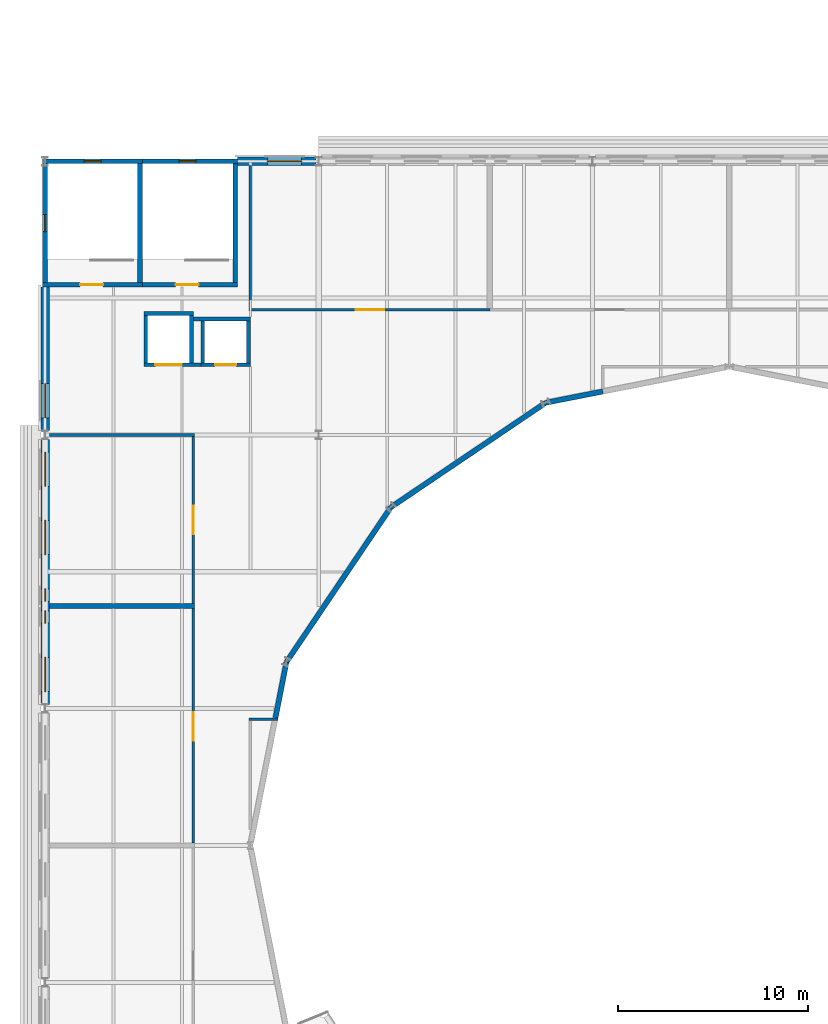
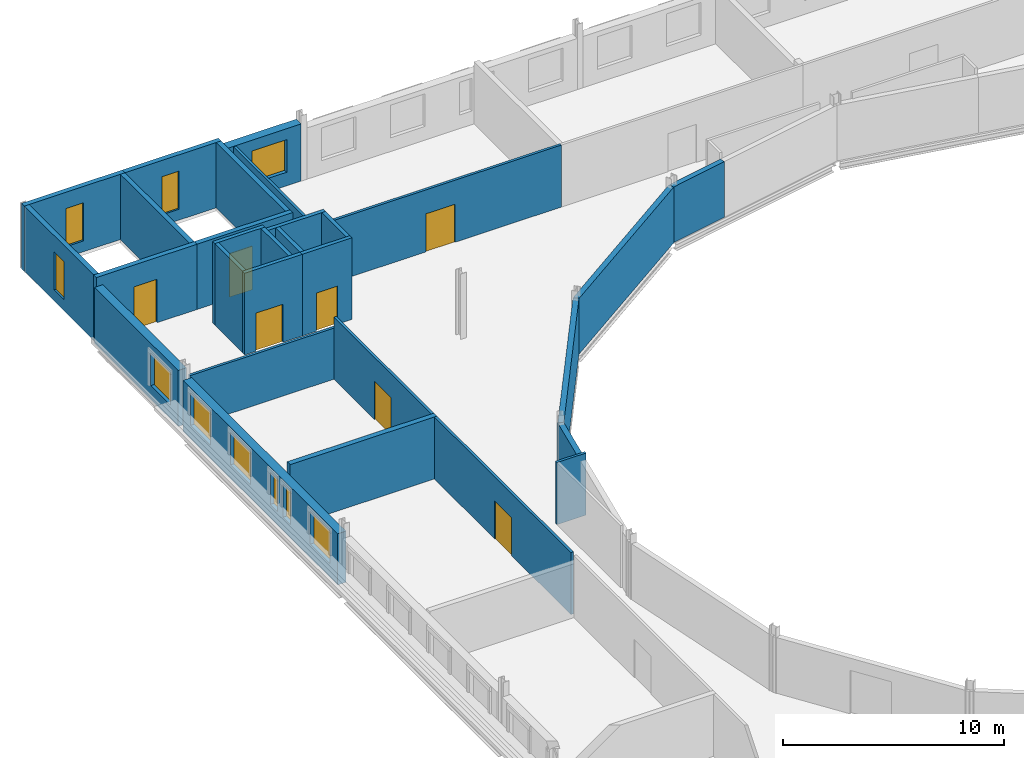
# One storey, part 94 of 142: 29 walls, 10 windows, 7 doors, 17 openings.
"""IFC4 building model written with IfcOpenShell, lengths in metres."""

import ifcopenshell
import ifcopenshell.guid

model = None  # the IFC model being written
_history = None  # IfcOwnerHistory: only IFC2X3 demands one
_inside = {}  # id of a spatial element -> (the spatial element, [elements in it])
_under = {}  # id of a project, library or spatial element -> (it, [spatial elements below it])
_declared = {}  # id of a project -> (the project, [libraries it declares])
_typed = {}  # id of a type object -> (the type object, [elements of that type])
_made_of = {}  # id of a material, layer set ... -> (it, [elements and type objects made of it])


def new_model(schema):
    """Start an empty IFC model of exactly this schema.

    Asked for "IFC4X3", IfcOpenShell would pick the latest addendum, in which some entities
    have other attributes; the version numbers below select the first issue.
    IFC2X3 requires an IfcOwnerHistory on every rooted entity: one is made here for all.
    """
    global model, _history
    if schema == "IFC4X3":
        model = ifcopenshell.file(schema_version=(4, 3, 0, 0))
    else:
        model = ifcopenshell.file(schema=schema)
    _inside.clear()
    _under.clear()
    _declared.clear()
    _typed.clear()
    _made_of.clear()
    _history = None
    if model.schema == "IFC2X3":
        org = make("IfcOrganization", Name="unknown")
        user = make(
            "IfcPersonAndOrganization",
            ThePerson=make("IfcPerson", FamilyName="unknown"),
            TheOrganization=org,
        )
        app = make(
            "IfcApplication",
            ApplicationDeveloper=org,
            Version="unknown",
            ApplicationFullName="unknown",
            ApplicationIdentifier="unknown",
        )
        _history = make(
            "IfcOwnerHistory",
            OwningUser=user,
            OwningApplication=app,
            ChangeAction="ADDED",
            CreationDate=0,
        )
    return model


def make(cls, **values):
    """One entity of the class cls with the attributes given. An attribute that is None is left unset."""
    return model.create_entity(
        cls, **{name: value for name, value in values.items() if value is not None}
    )


def rooted(cls, **values):
    """An entity with a GlobalId (a new one), such as an element, a storey or a relation."""
    return make(cls, GlobalId=ifcopenshell.guid.new(), OwnerHistory=_history, **values)


def si_unit(unit_type, name, prefix=None):
    """IfcSIUnit, for example si_unit("LENGTHUNIT", "METRE", prefix="MILLI")."""
    return make("IfcSIUnit", UnitType=unit_type, Prefix=prefix, Name=name)


def assignment(units):
    """IfcUnitAssignment: the units of a project."""
    return None if units is None else make("IfcUnitAssignment", Units=units)


def point(xyz):
    """IfcCartesianPoint."""
    return None if xyz is None else make("IfcCartesianPoint", Coordinates=xyz)


def direction(xyz):
    """IfcDirection."""
    return None if xyz is None else make("IfcDirection", DirectionRatios=xyz)


def frame(location, z_axis=None, x_axis=None):
    """IfcAxis2Placement3D, a coordinate frame: its origin and axes. An axis left out is left unset."""
    return make(
        "IfcAxis2Placement3D",
        Location=point(location),
        Axis=direction(z_axis),
        RefDirection=direction(x_axis),
    )


def frame_2d(location, x_axis=None):
    """IfcAxis2Placement2D, a coordinate frame in the plane: its origin and x axis."""
    return make(
        "IfcAxis2Placement2D", Location=point(location), RefDirection=direction(x_axis)
    )


def origin():
    """The frame at (0, 0, 0) with its axes left unset."""
    return frame((0.0, 0.0, 0.0))


def place(relative_to, where):
    """IfcLocalPlacement: puts the frame where relative to a parent placement (None: the world)."""
    return make(
        "IfcLocalPlacement", PlacementRelTo=relative_to, RelativePlacement=where
    )


def context(
    kind, dimensions, precision=None, world=None, true_north=None, identifier=None
):
    """IfcGeometricRepresentationContext, for example the 3D "Model" context."""
    return make(
        "IfcGeometricRepresentationContext",
        ContextIdentifier=identifier,
        ContextType=kind,
        CoordinateSpaceDimension=dimensions,
        Precision=precision,
        WorldCoordinateSystem=world,
        TrueNorth=true_north,
    )


def subcontext(parent, identifier, kind, view, scale=None):
    """IfcGeometricRepresentationSubContext, for example "Body" below "Model"."""
    return make(
        "IfcGeometricRepresentationSubContext",
        ContextIdentifier=identifier,
        ContextType=kind,
        ParentContext=parent,
        TargetScale=scale,
        TargetView=view,
    )


def project(units=None, contexts=None):
    """IfcProject with its units and contexts."""
    return rooted(
        "IfcProject",
        Name="project",
        RepresentationContexts=contexts,
        UnitsInContext=assignment(units),
    )


def spatial(cls, under=None, at=None, **own):
    """A site, building, storey or space (cls), placed at a placement, below another one or the project."""
    s = rooted(cls, ObjectPlacement=at, **own)
    if under is not None:
        _under.setdefault(under.id(), (under, []))[1].append(s)
    return s


def profile(cls, at=None, kind="AREA", **sizes):
    """A parametric profile (cls). Its sizes go by their IFC names, for example OverallWidth=200.0."""
    return make(cls, ProfileType=kind, Position=at, **sizes)


def rectangle(**sizes):
    """IfcRectangleProfileDef."""
    return profile("IfcRectangleProfileDef", **sizes)


def extrude(swept, where, along, depth):
    """IfcExtrudedAreaSolid: the profile swept, set in the frame where, extruded along a direction by depth."""
    return make(
        "IfcExtrudedAreaSolid",
        SweptArea=swept,
        Position=where,
        ExtrudedDirection=direction(along),
        Depth=depth,
    )


def shape(context_of_items, identifier, shape_type, items):
    """IfcShapeRepresentation: the items that make up one representation, for example the "Body"."""
    return make(
        "IfcShapeRepresentation",
        ContextOfItems=context_of_items,
        RepresentationIdentifier=identifier,
        RepresentationType=shape_type,
        Items=items,
    )


def material(Name=None, Category=None):
    """IfcMaterial."""
    return make("IfcMaterial", Name=Name, Category=Category)


def layer(
    of_material, thickness, ventilated=None, Name=None, Category=None, Priority=None
):
    """IfcMaterialLayer: one layer of a wall or slab, of a material (None: an air gap)."""
    return make(
        "IfcMaterialLayer",
        Material=of_material,
        LayerThickness=thickness,
        IsVentilated=ventilated,
        Name=Name,
        Category=Category,
        Priority=Priority,
    )


def layer_set(layers, Name=None):
    """IfcMaterialLayerSet."""
    return make("IfcMaterialLayerSet", MaterialLayers=layers, LayerSetName=Name)


def made_of(thing, what):
    """Note that an element or type object is made of a material, layer set ...; save() writes the relation."""
    if what is not None:
        _made_of.setdefault(what.id(), (what, []))[1].append(thing)
    return thing


def type_object(cls, material=None, **own):
    """A type object (cls), such as IfcWallType, which elements share."""
    return made_of(rooted(cls, **own), material)


def element(
    cls,
    number,
    at=None,
    inside=None,
    cuts=None,
    type_object=None,
    material=None,
    context=None,
    identifier="Body",
    shape_type=None,
    held_by="IfcProductDefinitionShape",
    body=None,
    shapes=None,
    **own,
):
    """One element of the class cls, such as IfcWall. Its Tag is "e" and its number.

    at: its placement. inside: the storey or other place that contains it. cuts: it is an
    opening in that element (IfcRelVoidsElement). A single representation is given by context,
    identifier, shape_type and body (its items); several are given by shapes. held_by: the class
    of the entity that holds the representations. save() writes the other relations.
    """
    e = rooted(cls, Tag="e%d" % number, ObjectPlacement=at, **own)
    if body is not None:
        shapes = [shape(context, identifier, shape_type, body)]
    if shapes is not None:
        e.Representation = make(held_by, Representations=shapes)
    if inside is not None:
        _inside.setdefault(inside.id(), (inside, []))[1].append(e)
    if cuts is not None:
        rooted(
            "IfcRelVoidsElement", RelatingBuildingElement=cuts, RelatedOpeningElement=e
        )
    if type_object is not None:
        _typed.setdefault(type_object.id(), (type_object, []))[1].append(e)
    return made_of(e, material)


def fill(opening, filler):
    """IfcRelFillsElement: the door or window that sits in an opening."""
    return rooted(
        "IfcRelFillsElement",
        RelatingOpeningElement=opening,
        RelatedBuildingElement=filler,
    )


def aggregate(whole, parts):
    """IfcRelAggregates: a whole, such as a stair, and the parts it consists of."""
    return rooted("IfcRelAggregates", RelatingObject=whole, RelatedObjects=parts)


def save(model, path):
    """Write the relations noted so far, then the file.

    IfcRelAggregates (storeys below a building ...), IfcRelContainedInSpatialStructure (elements
    in a storey), IfcRelDefinesByType, IfcRelAssociatesMaterial and IfcRelDeclares: one each for
    every whole, place, type object, material and project.
    """
    for whole, parts in _under.values():
        aggregate(whole, parts)
    for where, things in _inside.values():
        rooted(
            "IfcRelContainedInSpatialStructure",
            RelatedElements=things,
            RelatingStructure=where,
        )
    for kind, things in _typed.values():
        rooted("IfcRelDefinesByType", RelatedObjects=things, RelatingType=kind)
    for what, things in _made_of.values():
        rooted("IfcRelAssociatesMaterial", RelatedObjects=things, RelatingMaterial=what)
    for by, libraries in _declared.values():
        rooted("IfcRelDeclares", RelatingContext=by, RelatedDefinitions=libraries)
    model.write(path)


model = new_model("IFC4")

# Units and contexts
model_context = context("Model", 3, precision=1e-05, world=origin(), true_north=direction((0.0, 1.0)))
body_context = subcontext(model_context, "Body", "Model", "MODEL_VIEW")
ifc_project = project(units=[si_unit("LENGTHUNIT", "METRE"), si_unit("AREAUNIT", "SQUARE_METRE"), si_unit("VOLUMEUNIT", "CUBIC_METRE"), si_unit("PLANEANGLEUNIT", "RADIAN"), si_unit("MASSUNIT", "GRAM", prefix="KILO")], contexts=[model_context])

# Site, building, storey
site_placement = place(None, origin())
site = spatial("IfcSite", under=ifc_project, at=site_placement, CompositionType="ELEMENT")
building_placement = place(site_placement, origin())
building = spatial("IfcBuilding", under=site, at=building_placement, Name="Kupolbacken Congress Centre", CompositionType="ELEMENT")
storey_placement = place(building_placement, frame((0.0, 0.0, 14.39990234375)))
storey = spatial("IfcBuildingStorey", under=building, at=storey_placement, Name="L04", CompositionType="ELEMENT", Elevation=14.39990234375)

# Wall, opening, window
ifc_material_1 = material(Name="Limestone", Category="masonry")
ifc_layer_1 = layer(ifc_material_1, 0.1201171875)
ifc_material_2 = material(Name="Air cavity", Category="air")
ifc_layer_2 = layer(ifc_material_2, 0.0400390625, ventilated=True)
ifc_material_3 = material(Name="Mineral wool", Category="insulation")
ifc_layer_3 = layer(ifc_material_3, 0.159912109375)
ifc_material_4 = material(Name="Concrete block", Category="masonry")
ifc_layer_4 = layer(ifc_material_4, 0.1201171875)
ifc_layer_set_1 = layer_set([ifc_layer_1, ifc_layer_2, ifc_layer_3, ifc_layer_4], Name="Limestone / Mineral wool / Concrete block")
wall_type_1 = type_object("IfcWallType", Name="EW05 external cavity wall 440", PredefinedType="SOLIDWALL", material=ifc_layer_set_1)
wall_1_placement = place(storey_placement, frame((21.449951171875, 122.39990234375, 0.0), z_axis=(0.0, 0.0, 1.0), x_axis=(-1.0, 0.0, 0.0)))
wall_1 = element("IfcWall", 1, at=wall_1_placement, inside=storey, type_object=wall_type_1, Name="E/P/N/L04/446", PredefinedType="SOLIDWALL", context=body_context, shape_type="SweptSolid", body=[
    extrude(rectangle(XDim=4.125, YDim=0.43994140625, at=frame_2d((2.0625, 0.0))), origin(), (0.0, 0.0, 1.0), 3.150146484375),
])
opening_1_placement = place(wall_1_placement, frame((0.75, 0.0, 0.75)))
opening_1 = element("IfcOpeningElement", 2, at=opening_1_placement, cuts=wall_1, Name="Opening W7", PredefinedType="OPENING", context=body_context, shape_type="SweptSolid", body=[
    extrude(rectangle(XDim=1.800048828125, YDim=1.800048828125, at=frame_2d((0.89990234375, 0.89990234375))), frame((0.0, 0.22998046875, 0.0), z_axis=(0.0, -1.0, 0.0), x_axis=(1.0, 0.0, 0.0)), (0.0, 0.0, 1.0), 0.4599609375),
])
ifc_material_5 = material(Name="Aluminium frame with double or triple glazing", Category="aluminium")
window_type_1 = type_object("IfcWindowType", Name="W7 window 1800x1800", PartitioningType="DOUBLE_PANEL_VERTICAL", PredefinedType="WINDOW", material=ifc_material_5)
window_1_placement = place(opening_1_placement, origin())
window_1 = element("IfcWindow", 3, at=window_1_placement, inside=storey, type_object=window_type_1, Name="E/P/N/L04/446/W1", OverallHeight=1.800048828125, OverallWidth=1.800048828125, PartitioningType="SINGLE_PANEL", PredefinedType="WINDOW", context=body_context, shape_type="SweptSolid", body=[
    extrude(rectangle(XDim=1.800048828125, YDim=1.800048828125, at=frame_2d((0.89990234375, 0.89990234375))), frame((0.0, 0.030029296875, 0.0), z_axis=(0.0, -1.0, 0.0), x_axis=(1.0, 0.0, 0.0)), (0.0, 0.0, 1.0), 0.06005859375),
])
fill(opening_1, window_1)

wall_2_placement = place(storey_placement, frame((7.199951171875, 115.77490234375, 0.0), z_axis=(0.0, 0.0, 1.0), x_axis=(0.0, -1.0, 0.0)))
wall_2 = element("IfcWall", 4, at=wall_2_placement, inside=storey, type_object=wall_type_1, Name="E/P/W/L04/450", PredefinedType="SOLIDWALL", context=body_context, shape_type="SweptSolid", body=[
    extrude(rectangle(XDim=7.5498046875, YDim=0.43994140625, at=frame_2d((3.77490234375, 0.0))), origin(), (0.0, 0.0, 1.0), 3.090087890625),
])
opening_2_placement = place(wall_2_placement, frame((5.074951171875, 0.0, 0.75)))
opening_2 = element("IfcOpeningElement", 5, at=opening_2_placement, cuts=wall_2, Name="Opening W7", PredefinedType="OPENING", context=body_context, shape_type="SweptSolid", body=[
    extrude(rectangle(XDim=1.800048828125, YDim=1.800048828125, at=frame_2d((0.89990234375, 0.89990234375))), frame((0.0, 0.22998046875, 0.0), z_axis=(0.0, -1.0, 0.0), x_axis=(1.0, 0.0, 0.0)), (0.0, 0.0, 1.0), 0.4599609375),
])
window_2_placement = place(opening_2_placement, origin())
window_2 = element("IfcWindow", 6, at=window_2_placement, inside=storey, type_object=window_type_1, Name="E/P/W/L04/450/W1", OverallHeight=1.800048828125, OverallWidth=1.800048828125, PartitioningType="SINGLE_PANEL", PredefinedType="WINDOW", context=body_context, shape_type="SweptSolid", body=[
    extrude(rectangle(XDim=1.800048828125, YDim=1.800048828125, at=frame_2d((0.89990234375, 0.89990234375))), frame((0.0, 0.030029296875, 0.0), z_axis=(0.0, -1.0, 0.0), x_axis=(1.0, 0.0, 0.0)), (0.0, 0.0, 1.0), 0.06005859375),
])
fill(opening_2, window_2)

# Wall, openings, windows
wall_3_placement = place(storey_placement, frame((7.199951171875, 107.77490234375, 0.0), z_axis=(0.0, 0.0, 1.0), x_axis=(0.0, -1.0, 0.0)))
wall_3 = element("IfcWall", 7, at=wall_3_placement, inside=storey, type_object=wall_type_1, Name="E/P/W/L04/451", PredefinedType="SOLIDWALL", context=body_context, shape_type="SweptSolid", body=[
    extrude(rectangle(XDim=13.949951171875, YDim=0.43994140625, at=frame_2d((6.97509765625, 0.0))), origin(), (0.0, 0.0, 1.0), 2.820068359375),
])
opening_3_placement = place(wall_3_placement, frame((11.47509765625, 0.0, 0.75)))
opening_3 = element("IfcOpeningElement", 8, at=opening_3_placement, cuts=wall_3, Name="Opening W7", PredefinedType="OPENING", context=body_context, shape_type="SweptSolid", body=[
    extrude(rectangle(XDim=1.800048828125, YDim=1.800048828125, at=frame_2d((0.89990234375, 0.89990234375))), frame((0.0, 0.22998046875, 0.0), z_axis=(0.0, -1.0, 0.0), x_axis=(1.0, 0.0, 0.0)), (0.0, 0.0, 1.0), 0.4599609375),
])
opening_4_placement = place(wall_3_placement, frame((7.875, 0.0, 0.75)))
opening_4 = element("IfcOpeningElement", 9, at=opening_4_placement, cuts=wall_3, Name="Opening W33", PredefinedType="OPENING", context=body_context, shape_type="SweptSolid", body=[
    extrude(rectangle(XDim=0.64990234375, YDim=1.800048828125, at=frame_2d((0.324951171875, 0.89990234375))), frame((0.0, 0.22998046875, 0.0), z_axis=(0.0, -1.0, 0.0), x_axis=(1.0, 0.0, 0.0)), (0.0, 0.0, 1.0), 0.4599609375),
])
opening_5_placement = place(wall_3_placement, frame((9.02490234375, 0.0, 0.75)))
opening_5 = element("IfcOpeningElement", 10, at=opening_5_placement, cuts=wall_3, Name="Opening W33", PredefinedType="OPENING", context=body_context, shape_type="SweptSolid", body=[
    extrude(rectangle(XDim=0.64990234375, YDim=1.800048828125, at=frame_2d((0.324951171875, 0.89990234375))), frame((0.0, 0.22998046875, 0.0), z_axis=(0.0, -1.0, 0.0), x_axis=(1.0, 0.0, 0.0)), (0.0, 0.0, 1.0), 0.4599609375),
])
opening_6_placement = place(wall_3_placement, frame((4.27490234375, 0.0, 0.75)))
opening_6 = element("IfcOpeningElement", 11, at=opening_6_placement, cuts=wall_3, Name="Opening W7", PredefinedType="OPENING", context=body_context, shape_type="SweptSolid", body=[
    extrude(rectangle(XDim=1.800048828125, YDim=1.800048828125, at=frame_2d((0.89990234375, 0.89990234375))), frame((0.0, 0.22998046875, 0.0), z_axis=(0.0, -1.0, 0.0), x_axis=(1.0, 0.0, 0.0)), (0.0, 0.0, 1.0), 0.4599609375),
])
opening_7_placement = place(wall_3_placement, frame((0.675048828125, 0.0, 0.75)))
opening_7 = element("IfcOpeningElement", 12, at=opening_7_placement, cuts=wall_3, Name="Opening W7", PredefinedType="OPENING", context=body_context, shape_type="SweptSolid", body=[
    extrude(rectangle(XDim=1.800048828125, YDim=1.800048828125, at=frame_2d((0.89990234375, 0.89990234375))), frame((0.0, 0.22998046875, 0.0), z_axis=(0.0, -1.0, 0.0), x_axis=(1.0, 0.0, 0.0)), (0.0, 0.0, 1.0), 0.4599609375),
])
ifc_material_6 = material(Name="Aluminium frame with double or triple glazing", Category="aluminium")
window_type_2 = type_object("IfcWindowType", Name="W33 window 650x1800", PartitioningType="SINGLE_PANEL", PredefinedType="WINDOW", material=ifc_material_6)
window_3_placement = place(opening_4_placement, origin())
window_3 = element("IfcWindow", 13, at=window_3_placement, inside=storey, type_object=window_type_2, Name="E/P/W/L04/451/W2", OverallHeight=1.800048828125, OverallWidth=0.64990234375, PartitioningType="SINGLE_PANEL", PredefinedType="WINDOW", context=body_context, shape_type="SweptSolid", body=[
    extrude(rectangle(XDim=0.64990234375, YDim=1.800048828125, at=frame_2d((0.324951171875, 0.89990234375))), frame((0.0, 0.030029296875, 0.0), z_axis=(0.0, -1.0, 0.0), x_axis=(1.0, 0.0, 0.0)), (0.0, 0.0, 1.0), 0.06005859375),
])
fill(opening_4, window_3)
window_4_placement = place(opening_5_placement, origin())
window_4 = element("IfcWindow", 14, at=window_4_placement, inside=storey, type_object=window_type_2, Name="E/P/W/L04/451/W3", OverallHeight=1.800048828125, OverallWidth=0.64990234375, PartitioningType="SINGLE_PANEL", PredefinedType="WINDOW", context=body_context, shape_type="SweptSolid", body=[
    extrude(rectangle(XDim=0.64990234375, YDim=1.800048828125, at=frame_2d((0.324951171875, 0.89990234375))), frame((0.0, 0.030029296875, 0.0), z_axis=(0.0, -1.0, 0.0), x_axis=(1.0, 0.0, 0.0)), (0.0, 0.0, 1.0), 0.06005859375),
])
fill(opening_5, window_4)
window_5_placement = place(opening_3_placement, origin())
window_5 = element("IfcWindow", 15, at=window_5_placement, inside=storey, type_object=window_type_1, Name="E/P/W/L04/451/W1", OverallHeight=1.800048828125, OverallWidth=1.800048828125, PartitioningType="SINGLE_PANEL", PredefinedType="WINDOW", context=body_context, shape_type="SweptSolid", body=[
    extrude(rectangle(XDim=1.800048828125, YDim=1.800048828125, at=frame_2d((0.89990234375, 0.89990234375))), frame((0.0, 0.030029296875, 0.0), z_axis=(0.0, -1.0, 0.0), x_axis=(1.0, 0.0, 0.0)), (0.0, 0.0, 1.0), 0.06005859375),
])
fill(opening_3, window_5)
window_6_placement = place(opening_6_placement, origin())
window_6 = element("IfcWindow", 16, at=window_6_placement, inside=storey, type_object=window_type_1, Name="E/P/W/L04/451/W4", OverallHeight=1.800048828125, OverallWidth=1.800048828125, PartitioningType="SINGLE_PANEL", PredefinedType="WINDOW", context=body_context, shape_type="SweptSolid", body=[
    extrude(rectangle(XDim=1.800048828125, YDim=1.800048828125, at=frame_2d((0.89990234375, 0.89990234375))), frame((0.0, 0.030029296875, 0.0), z_axis=(0.0, -1.0, 0.0), x_axis=(1.0, 0.0, 0.0)), (0.0, 0.0, 1.0), 0.06005859375),
])
fill(opening_6, window_6)
window_7_placement = place(opening_7_placement, origin())
window_7 = element("IfcWindow", 17, at=window_7_placement, inside=storey, type_object=window_type_1, Name="E/P/W/L04/451/W5", OverallHeight=1.800048828125, OverallWidth=1.800048828125, PartitioningType="SINGLE_PANEL", PredefinedType="WINDOW", context=body_context, shape_type="SweptSolid", body=[
    extrude(rectangle(XDim=1.800048828125, YDim=1.800048828125, at=frame_2d((0.89990234375, 0.89990234375))), frame((0.0, 0.030029296875, 0.0), z_axis=(0.0, -1.0, 0.0), x_axis=(1.0, 0.0, 0.0)), (0.0, 0.0, 1.0), 0.06005859375),
])
fill(opening_7, window_7)

# Wall
ifc_material_7 = material(Name="Gypsum board", Category="drywall")
ifc_layer_5 = layer(ifc_material_7, 0.135009765625)
ifc_layer_set_2 = layer_set([ifc_layer_5], Name="Gypsum board")
wall_type_2 = type_object("IfcWallType", Name="P06 compartment wall 135", PredefinedType="PARTITIONING", material=ifc_layer_set_2)
wall_4_placement = place(storey_placement, frame((18.0, 122.179931640625, 0.0), z_axis=(0.0, 0.0, 1.0), x_axis=(0.0, -1.0, 0.0)))
element("IfcWall", 18, at=wall_4_placement, inside=storey, type_object=wall_type_2, Name="PD/L04/W006", PredefinedType="PARTITIONING", context=body_context, shape_type="SweptSolid", body=[
    extrude(rectangle(XDim=7.512451171875, YDim=0.135009765625, at=frame_2d((3.75634765625, 0.0))), origin(), (0.0, 0.0, 1.0), 3.1201171875),
])

# Wall, opening, door
wall_5_placement = place(storey_placement, frame((15.0, 98.862548828125, 0.0), z_axis=(0.0, 0.0, 1.0), x_axis=(0.0, -1.0, 0.0)))
wall_5 = element("IfcWall", 19, at=wall_5_placement, inside=storey, type_object=wall_type_2, Name="PD/L04/W053", PredefinedType="PARTITIONING", context=body_context, shape_type="SweptSolid", body=[
    extrude(rectangle(XDim=12.324951171875, YDim=0.135009765625, at=frame_2d((6.16259765625, 0.0))), origin(), (0.0, 0.0, 1.0), 3.420166015625),
])
opening_8_placement = place(wall_5_placement, frame((5.449951171875, 0.0, 0.0)))
opening_8 = element("IfcOpeningElement", 20, at=opening_8_placement, cuts=wall_5, Name="Opening 4.P11", PredefinedType="OPENING", context=body_context, shape_type="SweptSolid", body=[
    extrude(rectangle(XDim=1.5, YDim=2.10009765625, at=frame_2d((0.75, 1.050048828125))), frame((0.0, 0.077392578125, 0.0), z_axis=(0.0, -1.0, 0.0), x_axis=(1.0, 0.0, 0.0)), (0.0, 0.0, 1.0), 0.155029296875),
])
ifc_material_8 = material(Name="Steel fire door leaf", Category="steel")
door_type_1 = type_object("IfcDoorType", Name="D12 fire door 1500x2100", OperationType="DOUBLE_DOOR_SINGLE_SWING", PredefinedType="DOOR", material=ifc_material_8)
door_1_placement = place(opening_8_placement, origin())
door_1 = element("IfcDoor", 21, at=door_1_placement, inside=storey, type_object=door_type_1, Name="PD/L04/W053/D4P11", OperationType="DOUBLE_DOOR_SINGLE_SWING", OverallHeight=2.10009765625, OverallWidth=1.5, PredefinedType="DOOR", context=body_context, shape_type="SweptSolid", body=[
    extrude(rectangle(XDim=1.5, YDim=2.10009765625, at=frame_2d((0.75, 1.050048828125))), frame((0.0, 0.02490234375, 0.0), z_axis=(0.0, -1.0, 0.0), x_axis=(1.0, 0.0, 0.0)), (0.0, 0.0, 1.0), 0.050048828125),
])
fill(opening_8, door_1)

wall_6_placement = place(storey_placement, frame((15.0, 107.9326171875, 0.0), z_axis=(0.0, 0.0, 1.0), x_axis=(0.0, -1.0, 0.0)))
wall_6 = element("IfcWall", 22, at=wall_6_placement, inside=storey, type_object=wall_type_2, Name="PD/L04/W054", PredefinedType="PARTITIONING", context=body_context, shape_type="SweptSolid", body=[
    extrude(rectangle(XDim=8.795166015625, YDim=0.135009765625, at=frame_2d((4.3974609375, 0.0))), origin(), (0.0, 0.0, 1.0), 3.420166015625),
])
opening_9_placement = place(wall_6_placement, frame((3.64990234375, 0.0, 0.0)))
opening_9 = element("IfcOpeningElement", 23, at=opening_9_placement, cuts=wall_6, Name="Opening 4.P12", PredefinedType="OPENING", context=body_context, shape_type="SweptSolid", body=[
    extrude(rectangle(XDim=1.5, YDim=2.10009765625, at=frame_2d((0.75, 1.050048828125))), frame((0.0, 0.077392578125, 0.0), z_axis=(0.0, -1.0, 0.0), x_axis=(1.0, 0.0, 0.0)), (0.0, 0.0, 1.0), 0.155029296875),
])
door_2_placement = place(opening_9_placement, frame((1.5, 0.0, 0.0), z_axis=(0.0, 0.0, 1.0), x_axis=(-1.0, 0.0, 0.0)))
door_2 = element("IfcDoor", 24, at=door_2_placement, inside=storey, type_object=door_type_1, Name="PD/L04/W054/D4P12", OperationType="DOUBLE_DOOR_SINGLE_SWING", OverallHeight=2.10009765625, OverallWidth=1.5, PredefinedType="DOOR", context=body_context, shape_type="SweptSolid", body=[
    extrude(rectangle(XDim=1.5, YDim=2.10009765625, at=frame_2d((0.75, 1.050048828125))), frame((0.0, 0.02490234375, 0.0), z_axis=(0.0, -1.0, 0.0), x_axis=(1.0, 0.0, 0.0)), (0.0, 0.0, 1.0), 0.050048828125),
])
fill(opening_9, door_2)

# Wall
wall_7_placement = place(storey_placement, frame((7.419921875, 108.0, 0.0), z_axis=(0.0, 0.0, 1.0), x_axis=(1.0, 0.0, 0.0)))
element("IfcWall", 25, at=wall_7_placement, inside=storey, type_object=wall_type_2, Name="PD/L04/W055", PredefinedType="PARTITIONING", context=body_context, shape_type="SweptSolid", body=[
    extrude(rectangle(XDim=7.6474609375, YDim=0.135009765625, at=frame_2d((3.82373046875, 0.0))), origin(), (0.0, 0.0, 1.0), 2.820068359375),
])

# Wall, opening, door
wall_8_placement = place(storey_placement, frame((30.60009765625, 114.60009765625, 0.0), z_axis=(0.0, 0.0, 1.0), x_axis=(-1.0, 0.0, 0.0)))
wall_8 = element("IfcWall", 26, at=wall_8_placement, inside=storey, type_object=wall_type_2, Name="PD/L04/W057", PredefinedType="PARTITIONING", context=body_context, shape_type="SweptSolid", body=[
    extrude(rectangle(XDim=12.66748046875, YDim=0.135009765625, at=frame_2d((6.333740234375, 0.0))), origin(), (0.0, 0.0, 1.0), 3.420166015625),
])
opening_10_placement = place(wall_8_placement, frame((5.550048828125, 0.0, 0.0)))
opening_10 = element("IfcOpeningElement", 27, at=opening_10_placement, cuts=wall_8, Name="Opening 4.P13", PredefinedType="OPENING", context=body_context, shape_type="SweptSolid", body=[
    extrude(rectangle(XDim=1.5, YDim=2.10009765625, at=frame_2d((0.75, 1.050048828125))), frame((0.0, 0.077392578125, 0.0), z_axis=(0.0, -1.0, 0.0), x_axis=(1.0, 0.0, 0.0)), (0.0, 0.0, 1.0), 0.155029296875),
])
door_3_placement = place(opening_10_placement, origin())
door_3 = element("IfcDoor", 28, at=door_3_placement, inside=storey, type_object=door_type_1, Name="PD/L04/W057/D4P13", OperationType="DOUBLE_DOOR_SINGLE_SWING", OverallHeight=2.10009765625, OverallWidth=1.5, PredefinedType="DOOR", context=body_context, shape_type="SweptSolid", body=[
    extrude(rectangle(XDim=1.5, YDim=2.10009765625, at=frame_2d((0.75, 1.050048828125))), frame((0.0, 0.02490234375, 0.0), z_axis=(0.0, -1.0, 0.0), x_axis=(1.0, 0.0, 0.0)), (0.0, 0.0, 1.0), 0.050048828125),
])
fill(opening_10, door_3)

# Walls
wall_9_placement = place(storey_placement, frame((19.44677734375, 93.050048828125, 0.0), z_axis=(0.0, 0.0, 1.0), x_axis=(-1.0, 0.0, 0.0)))
element("IfcWall", 29, at=wall_9_placement, inside=storey, type_object=wall_type_2, Name="PD/L04/W085", PredefinedType="PARTITIONING", context=body_context, shape_type="SweptSolid", body=[
    extrude(rectangle(XDim=1.51416015625, YDim=0.135009765625, at=frame_2d((0.757080078125, 0.0))), origin(), (0.0, 0.0, 1.0), 3.420166015625),
])
ifc_material_9 = material(Name="Gypsum board", Category="drywall")
ifc_layer_6 = layer(ifc_material_9, 0.27490234375)
ifc_layer_set_3 = layer_set([ifc_layer_6], Name="Gypsum board")
wall_type_3 = type_object("IfcWallType", Name="P12 partition 275", PredefinedType="PARTITIONING", material=ifc_layer_set_3)
wall_10_placement = place(storey_placement, frame((7.419921875, 99.0, 0.0), z_axis=(0.0, 0.0, 1.0), x_axis=(1.0, 0.0, 0.0)))
element("IfcWall", 30, at=wall_10_placement, inside=storey, type_object=wall_type_3, Name="PD/L04/W052", PredefinedType="PARTITIONING", context=body_context, shape_type="SweptSolid", body=[
    extrude(rectangle(XDim=7.6474609375, YDim=0.27490234375, at=frame_2d((3.82373046875, 0.0))), origin(), (0.0, 0.0, 1.0), 3.420166015625),
])
wall_11_placement = place(storey_placement, frame((19.89990234375, 96.050048828125, 0.0), z_axis=(0.0, 0.0, 1.0), x_axis=(-0.193179069745, -0.98116351696, 0.0)))
element("IfcWall", 31, at=wall_11_placement, inside=storey, type_object=wall_type_3, Name="PD/L04/W086", PredefinedType="PARTITIONING", context=body_context, shape_type="SweptSolid", body=[
    extrude(rectangle(XDim=2.990234375, YDim=0.27490234375, at=frame_2d((1.4951171875, 0.0))), origin(), (0.0, 0.0, 1.0), 3.070068359375),
])
wall_12_placement = place(storey_placement, frame((36.550048828125, 110.290771484375, 0.0), z_axis=(0.0, 0.0, 1.0), x_axis=(-0.981153778086, -0.19322852726, 0.0)))
element("IfcWall", 32, at=wall_12_placement, inside=storey, type_object=wall_type_3, Name="PD/L04/W087", PredefinedType="PARTITIONING", context=body_context, shape_type="SweptSolid", body=[
    extrude(rectangle(XDim=3.0576171875, YDim=0.27490234375, at=frame_2d((1.52880859375, 0.0))), origin(), (0.0, 0.0, 1.0), 3.070068359375),
])
wall_13_placement = place(storey_placement, frame((33.550048828125, 109.699951171875, 0.0), z_axis=(0.0, 0.0, 1.0), x_axis=(-0.828912285216, -0.559378604719, 0.0)))
element("IfcWall", 33, at=wall_13_placement, inside=storey, type_object=wall_type_3, Name="PD/L04/W088", PredefinedType="PARTITIONING", context=body_context, shape_type="SweptSolid", body=[
    extrude(rectangle(XDim=9.832275390625, YDim=0.27490234375, at=frame_2d((4.916015625, 0.0))), origin(), (0.0, 0.0, 1.0), 3.070068359375),
])
wall_14_placement = place(storey_placement, frame((25.39990234375, 104.199951171875, 0.0), z_axis=(0.0, 0.0, 1.0), x_axis=(-0.559390118145, -0.828904515443, 0.0)))
element("IfcWall", 34, at=wall_14_placement, inside=storey, type_object=wall_type_3, Name="PD/L04/W089", PredefinedType="PARTITIONING", context=body_context, shape_type="SweptSolid", body=[
    extrude(rectangle(XDim=9.83203125, YDim=0.27490234375, at=frame_2d((4.916015625, 0.0))), origin(), (0.0, 0.0, 1.0), 3.070068359375),
])

# Wall, opening, door
ifc_material_10 = material(Name="Concrete C40/50", Category="concrete")
ifc_layer_7 = layer(ifc_material_10, 0.199951171875)
ifc_layer_set_4 = layer_set([ifc_layer_7], Name="Concrete C40/50")
wall_type_4 = type_object("IfcWallType", Name="WC1 RC shaft wall 200", PredefinedType="SHEAR", material=ifc_layer_set_4)
wall_15_placement = place(storey_placement, frame((15.39990234375, 111.699951171875, 0.0), z_axis=(0.0, 0.0, 1.0), x_axis=(1.0, 0.0, 0.0)))
wall_15 = element("IfcWall", 35, at=wall_15_placement, inside=storey, type_object=wall_type_4, Name="Shaft wall LP7", PredefinedType="SHEAR", context=body_context, shape_type="SweptSolid", body=[
    extrude(rectangle(XDim=2.60009765625, YDim=0.199951171875, at=frame_2d((1.300048828125, 0.0))), origin(), (0.0, 0.0, 1.0), 4.5),
])
opening_11_placement = place(wall_15_placement, frame((0.75, 0.0, 0.0)))
opening_11 = element("IfcOpeningElement", 36, at=opening_11_placement, cuts=wall_15, Name="Opening LD2", PredefinedType="OPENING", context=body_context, shape_type="SweptSolid", body=[
    extrude(rectangle(XDim=1.10009765625, YDim=2.10009765625, at=frame_2d((0.550048828125, 1.050048828125))), frame((0.0, 0.10986328125, 0.0), z_axis=(0.0, -1.0, 0.0), x_axis=(1.0, 0.0, 0.0)), (0.0, 0.0, 1.0), 0.219970703125),
])
ifc_material_11 = material(Name="Stainless steel door leaf", Category="steel")
door_type_2 = type_object("IfcDoorType", Name="LD2 lift landing door 1100x2100", OperationType="SLIDING_TO_LEFT", PredefinedType="DOOR", material=ifc_material_11)
door_4_placement = place(opening_11_placement, origin())
door_4 = element("IfcDoor", 37, at=door_4_placement, inside=storey, type_object=door_type_2, Name="Lift landing door LP7", OperationType="SLIDING_TO_LEFT", OverallHeight=2.10009765625, OverallWidth=1.10009765625, PredefinedType="DOOR", context=body_context, shape_type="SweptSolid", body=[
    extrude(rectangle(XDim=1.10009765625, YDim=2.10009765625, at=frame_2d((0.550048828125, 1.050048828125))), frame((0.0, 0.02490234375, 0.0), z_axis=(0.0, -1.0, 0.0), x_axis=(1.0, 0.0, 0.0)), (0.0, 0.0, 1.0), 0.050048828125),
])
fill(opening_11, door_4)

# Walls
wall_16_placement = place(storey_placement, frame((15.0, 114.10009765625, 0.0), z_axis=(0.0, 0.0, 1.0), x_axis=(1.0, 0.0, 0.0)))
element("IfcWall", 38, at=wall_16_placement, inside=storey, type_object=wall_type_4, Name="Shaft wall LP7", PredefinedType="SHEAR", context=body_context, shape_type="SweptSolid", body=[
    extrude(rectangle(XDim=3.0, YDim=0.199951171875, at=frame_2d((1.5, 0.0))), origin(), (0.0, 0.0, 1.0), 4.5),
])
for number, where, z_axis, x_axis, name in (
    (39, (15.5, 111.800048828125, 0.0), (0.0, 0.0, 1.0), (0.0, 1.0, 0.0), "Shaft wall LP7"),
    (40, (17.89990234375, 111.800048828125, 0.0), (0.0, 0.0, 1.0), (0.0, 1.0, 0.0), "Shaft wall LP7"),
):
    element("IfcWall", number, at=place(storey_placement, frame(where, z_axis=z_axis, x_axis=x_axis)), inside=storey, type_object=wall_type_4, Name=name, PredefinedType="SHEAR", context=body_context, shape_type="SweptSolid", body=[
        extrude(rectangle(XDim=2.199951171875, YDim=0.199951171875, at=frame_2d((1.10009765625, 0.0))), origin(), (0.0, 0.0, 1.0), 4.5),
    ])

# Wall, opening, door
wall_17_placement = place(storey_placement, frame((12.39990234375, 111.699951171875, 0.0), z_axis=(0.0, 0.0, 1.0), x_axis=(1.0, 0.0, 0.0)))
wall_17 = element("IfcWall", 41, at=wall_17_placement, inside=storey, type_object=wall_type_4, Name="Shaft wall LG1", PredefinedType="SHEAR", context=body_context, shape_type="SweptSolid", body=[
    extrude(rectangle(XDim=3.0, YDim=0.199951171875, at=frame_2d((1.5, 0.0))), origin(), (0.0, 0.0, 1.0), 4.5),
])
opening_12_placement = place(wall_17_placement, frame((0.60009765625, 0.0, 0.0)))
opening_12 = element("IfcOpeningElement", 42, at=opening_12_placement, cuts=wall_17, Name="Opening LD3", PredefinedType="OPENING", context=body_context, shape_type="SweptSolid", body=[
    extrude(rectangle(XDim=1.39990234375, YDim=2.10009765625, at=frame_2d((0.699951171875, 1.050048828125))), frame((0.0, 0.10986328125, 0.0), z_axis=(0.0, -1.0, 0.0), x_axis=(1.0, 0.0, 0.0)), (0.0, 0.0, 1.0), 0.219970703125),
])
ifc_material_12 = material(Name="Stainless steel door leaf", Category="steel")
door_type_3 = type_object("IfcDoorType", Name="LD3 lift landing door 1400x2100", OperationType="SLIDING_TO_LEFT", PredefinedType="DOOR", material=ifc_material_12)
door_5_placement = place(opening_12_placement, origin())
door_5 = element("IfcDoor", 43, at=door_5_placement, inside=storey, type_object=door_type_3, Name="Lift landing door LG1", OperationType="SLIDING_TO_LEFT", OverallHeight=2.10009765625, OverallWidth=1.39990234375, PredefinedType="DOOR", context=body_context, shape_type="SweptSolid", body=[
    extrude(rectangle(XDim=1.39990234375, YDim=2.10009765625, at=frame_2d((0.699951171875, 1.050048828125))), frame((0.0, 0.02490234375, 0.0), z_axis=(0.0, -1.0, 0.0), x_axis=(1.0, 0.0, 0.0)), (0.0, 0.0, 1.0), 0.050048828125),
])
fill(opening_12, door_5)

# Walls
wall_18_placement = place(storey_placement, frame((12.39990234375, 114.39990234375, 0.0), z_axis=(0.0, 0.0, 1.0), x_axis=(1.0, 0.0, 0.0)))
element("IfcWall", 44, at=wall_18_placement, inside=storey, type_object=wall_type_4, Name="Shaft wall LG1", PredefinedType="SHEAR", context=body_context, shape_type="SweptSolid", body=[
    extrude(rectangle(XDim=2.60009765625, YDim=0.199951171875, at=frame_2d((1.300048828125, 0.0))), origin(), (0.0, 0.0, 1.0), 4.5),
])
for number, where, z_axis, x_axis, name in (
    (45, (12.5, 111.800048828125, 0.0), (0.0, 0.0, 1.0), (0.0, 1.0, 0.0), "Shaft wall LG1"),
    (46, (14.89990234375, 111.800048828125, 0.0), (0.0, 0.0, 1.0), (0.0, 1.0, 0.0), "Shaft wall LG1"),
):
    element("IfcWall", number, at=place(storey_placement, frame(where, z_axis=z_axis, x_axis=x_axis)), inside=storey, type_object=wall_type_4, Name=name, PredefinedType="SHEAR", context=body_context, shape_type="SweptSolid", body=[
        extrude(rectangle(XDim=2.5, YDim=0.199951171875, at=frame_2d((1.25, 0.0))), origin(), (0.0, 0.0, 1.0), 4.5),
    ])

# Wall, opening, door
ifc_material_13 = material(Name="Concrete C40/50", Category="concrete")
ifc_layer_8 = layer(ifc_material_13, 0.25)
ifc_layer_set_5 = layer_set([ifc_layer_8], Name="Concrete C40/50")
wall_type_5 = type_object("IfcWallType", Name="WC2 RC stair enclosure wall 250", PredefinedType="SHEAR", material=ifc_layer_set_5)
wall_19_placement = place(storey_placement, frame((7.074951171875, 115.89990234375, 0.0), z_axis=(0.0, 0.0, 1.0), x_axis=(1.0, 0.0, 0.0)))
wall_19 = element("IfcWall", 47, at=wall_19_placement, inside=storey, type_object=wall_type_5, Name="Stair enclosure wall L04-064", PredefinedType="SHEAR", context=body_context, shape_type="SweptSolid", body=[
    extrude(rectangle(XDim=5.25, YDim=0.25, at=frame_2d((2.625, 0.0))), origin(), (0.0, 0.0, 1.0), 3.60009765625),
])
opening_13_placement = place(wall_19_placement, frame((1.97509765625, 0.0, 0.0)))
opening_13 = element("IfcOpeningElement", 48, at=opening_13_placement, cuts=wall_19, Name="Opening 4.P05", PredefinedType="OPENING", context=body_context, shape_type="SweptSolid", body=[
    extrude(rectangle(XDim=1.199951171875, YDim=2.39990234375, at=frame_2d((0.60009765625, 1.199951171875))), frame((0.0, 0.135009765625, 0.0), z_axis=(0.0, -1.0, 0.0), x_axis=(1.0, 0.0, 0.0)), (0.0, 0.0, 1.0), 0.27001953125),
])
ifc_material_14 = material(Name="Steel fire door leaf", Category="steel")
door_type_4 = type_object("IfcDoorType", Name="D9 fire door 1200x2400", OperationType="SINGLE_SWING_LEFT", PredefinedType="DOOR", material=ifc_material_14)
door_6_placement = place(opening_13_placement, origin())
door_6 = element("IfcDoor", 49, at=door_6_placement, inside=storey, type_object=door_type_4, Name="S/core/L04/064/D4P05", OperationType="SINGLE_SWING_RIGHT", OverallHeight=2.39990234375, OverallWidth=1.199951171875, PredefinedType="DOOR", context=body_context, shape_type="SweptSolid", body=[
    extrude(rectangle(XDim=1.199951171875, YDim=2.39990234375, at=frame_2d((0.60009765625, 1.199951171875))), frame((0.0, 0.02490234375, 0.0), z_axis=(0.0, -1.0, 0.0), x_axis=(1.0, 0.0, 0.0)), (0.0, 0.0, 1.0), 0.050048828125),
])
fill(opening_13, door_6)

wall_20_placement = place(storey_placement, frame((12.324951171875, 115.89990234375, 0.0), z_axis=(0.0, 0.0, 1.0), x_axis=(1.0, 0.0, 0.0)))
wall_20 = element("IfcWall", 50, at=wall_20_placement, inside=storey, type_object=wall_type_5, Name="Stair enclosure wall L04-065", PredefinedType="SHEAR", context=body_context, shape_type="SweptSolid", body=[
    extrude(rectangle(XDim=5.0, YDim=0.25, at=frame_2d((2.5, 0.0))), origin(), (0.0, 0.0, 1.0), 3.60009765625),
])
opening_14_placement = place(wall_20_placement, frame((1.75, 0.0, 0.0)))
opening_14 = element("IfcOpeningElement", 51, at=opening_14_placement, cuts=wall_20, Name="Opening 4.P06", PredefinedType="OPENING", context=body_context, shape_type="SweptSolid", body=[
    extrude(rectangle(XDim=1.199951171875, YDim=2.39990234375, at=frame_2d((0.60009765625, 1.199951171875))), frame((0.0, 0.135009765625, 0.0), z_axis=(0.0, -1.0, 0.0), x_axis=(1.0, 0.0, 0.0)), (0.0, 0.0, 1.0), 0.27001953125),
])
door_7_placement = place(opening_14_placement, origin())
door_7 = element("IfcDoor", 52, at=door_7_placement, inside=storey, type_object=door_type_4, Name="S/core/L04/065/D4P06", OperationType="SINGLE_SWING_RIGHT", OverallHeight=2.39990234375, OverallWidth=1.199951171875, PredefinedType="DOOR", context=body_context, shape_type="SweptSolid", body=[
    extrude(rectangle(XDim=1.199951171875, YDim=2.39990234375, at=frame_2d((0.60009765625, 1.199951171875))), frame((0.0, 0.02490234375, 0.0), z_axis=(0.0, -1.0, 0.0), x_axis=(1.0, 0.0, 0.0)), (0.0, 0.0, 1.0), 0.050048828125),
])
fill(opening_14, door_7)

# Walls
for number, where, z_axis, x_axis, name in (
    (53, (12.199951171875, 115.77490234375, 0.0), (0.0, 0.0, 1.0), (0.0, 1.0, 0.0), "Stair enclosure wall L04-066"),
    (54, (17.199951171875, 115.77490234375, 0.0), (0.0, 0.0, 1.0), (0.0, 1.0, 0.0), "Stair enclosure wall L04-067"),
):
    element("IfcWall", number, at=place(storey_placement, frame(where, z_axis=z_axis, x_axis=x_axis)), inside=storey, type_object=wall_type_5, Name=name, PredefinedType="SHEAR", context=body_context, shape_type="SweptSolid", body=[
        extrude(rectangle(XDim=6.75, YDim=0.25, at=frame_2d((3.375, 0.0))), origin(), (0.0, 0.0, 1.0), 3.60009765625),
    ])

# Wall, opening, window
wall_21_placement = place(storey_placement, frame((7.199951171875, 122.52490234375, 0.0), z_axis=(0.0, 0.0, 1.0), x_axis=(0.0, -1.0, 0.0)))
wall_21 = element("IfcWall", 55, at=wall_21_placement, inside=storey, type_object=wall_type_5, Name="Stair enclosure wall L04-072", PredefinedType="SHEAR", context=body_context, shape_type="SweptSolid", body=[
    extrude(rectangle(XDim=6.75, YDim=0.25, at=frame_2d((3.375, 0.0))), origin(), (0.0, 0.0, 1.0), 3.60009765625),
])
opening_15_placement = place(wall_21_placement, frame((2.925048828125, 0.0, 0.60009765625)))
opening_15 = element("IfcOpeningElement", 56, at=opening_15_placement, cuts=wall_21, Name="Opening W28", PredefinedType="OPENING", context=body_context, shape_type="SweptSolid", body=[
    extrude(rectangle(XDim=0.89990234375, YDim=2.10009765625, at=frame_2d((0.449951171875, 1.050048828125))), frame((0.0, 0.135009765625, 0.0), z_axis=(0.0, -1.0, 0.0), x_axis=(1.0, 0.0, 0.0)), (0.0, 0.0, 1.0), 0.27001953125),
])
ifc_material_15 = material(Name="Aluminium frame with double or triple glazing", Category="aluminium")
window_type_3 = type_object("IfcWindowType", Name="W28 window 900x2100", PartitioningType="SINGLE_PANEL", PredefinedType="WINDOW", material=ifc_material_15)
window_8_placement = place(opening_15_placement, origin())
window_8 = element("IfcWindow", 57, at=window_8_placement, inside=storey, type_object=window_type_3, Name="S/core/L04/072/W1/L04", OverallHeight=2.10009765625, OverallWidth=0.89990234375, PartitioningType="SINGLE_PANEL", PredefinedType="WINDOW", context=body_context, shape_type="SweptSolid", body=[
    extrude(rectangle(XDim=0.89990234375, YDim=2.10009765625, at=frame_2d((0.449951171875, 1.050048828125))), frame((0.0, 0.030029296875, 0.0), z_axis=(0.0, -1.0, 0.0), x_axis=(1.0, 0.0, 0.0)), (0.0, 0.0, 1.0), 0.06005859375),
])
fill(opening_15, window_8)

wall_22_placement = place(storey_placement, frame((12.324951171875, 122.39990234375, 0.0), z_axis=(0.0, 0.0, 1.0), x_axis=(-1.0, 0.0, 0.0)))
wall_22 = element("IfcWall", 58, at=wall_22_placement, inside=storey, type_object=wall_type_5, Name="Stair enclosure wall L04-073", PredefinedType="SHEAR", context=body_context, shape_type="SweptSolid", body=[
    extrude(rectangle(XDim=5.25, YDim=0.25, at=frame_2d((2.625, 0.0))), origin(), (0.0, 0.0, 1.0), 3.60009765625),
])
opening_16_placement = place(wall_22_placement, frame((2.175048828125, 0.0, 0.60009765625)))
opening_16 = element("IfcOpeningElement", 59, at=opening_16_placement, cuts=wall_22, Name="Opening W28", PredefinedType="OPENING", context=body_context, shape_type="SweptSolid", body=[
    extrude(rectangle(XDim=0.89990234375, YDim=2.10009765625, at=frame_2d((0.449951171875, 1.050048828125))), frame((0.0, 0.135009765625, 0.0), z_axis=(0.0, -1.0, 0.0), x_axis=(1.0, 0.0, 0.0)), (0.0, 0.0, 1.0), 0.27001953125),
])
window_9_placement = place(opening_16_placement, origin())
window_9 = element("IfcWindow", 60, at=window_9_placement, inside=storey, type_object=window_type_3, Name="S/core/L04/073/W1/L04", OverallHeight=2.10009765625, OverallWidth=0.89990234375, PartitioningType="SINGLE_PANEL", PredefinedType="WINDOW", context=body_context, shape_type="SweptSolid", body=[
    extrude(rectangle(XDim=0.89990234375, YDim=2.10009765625, at=frame_2d((0.449951171875, 1.050048828125))), frame((0.0, 0.030029296875, 0.0), z_axis=(0.0, -1.0, 0.0), x_axis=(1.0, 0.0, 0.0)), (0.0, 0.0, 1.0), 0.06005859375),
])
fill(opening_16, window_9)

wall_23_placement = place(storey_placement, frame((17.324951171875, 122.39990234375, 0.0), z_axis=(0.0, 0.0, 1.0), x_axis=(-1.0, 0.0, 0.0)))
wall_23 = element("IfcWall", 61, at=wall_23_placement, inside=storey, type_object=wall_type_5, Name="Stair enclosure wall L04-074", PredefinedType="SHEAR", context=body_context, shape_type="SweptSolid", body=[
    extrude(rectangle(XDim=5.0, YDim=0.25, at=frame_2d((2.5, 0.0))), origin(), (0.0, 0.0, 1.0), 3.60009765625),
])
opening_17_placement = place(wall_23_placement, frame((2.175048828125, 0.0, 0.60009765625)))
opening_17 = element("IfcOpeningElement", 62, at=opening_17_placement, cuts=wall_23, Name="Opening W28", PredefinedType="OPENING", context=body_context, shape_type="SweptSolid", body=[
    extrude(rectangle(XDim=0.89990234375, YDim=2.10009765625, at=frame_2d((0.449951171875, 1.050048828125))), frame((0.0, 0.135009765625, 0.0), z_axis=(0.0, -1.0, 0.0), x_axis=(1.0, 0.0, 0.0)), (0.0, 0.0, 1.0), 0.27001953125),
])
window_10_placement = place(opening_17_placement, origin())
window_10 = element("IfcWindow", 63, at=window_10_placement, inside=storey, type_object=window_type_3, Name="S/core/L04/074/W1/L04", OverallHeight=2.10009765625, OverallWidth=0.89990234375, PartitioningType="SINGLE_PANEL", PredefinedType="WINDOW", context=body_context, shape_type="SweptSolid", body=[
    extrude(rectangle(XDim=0.89990234375, YDim=2.10009765625, at=frame_2d((0.449951171875, 1.050048828125))), frame((0.0, 0.030029296875, 0.0), z_axis=(0.0, -1.0, 0.0), x_axis=(1.0, 0.0, 0.0)), (0.0, 0.0, 1.0), 0.06005859375),
])
fill(opening_17, window_10)

save(model, "model.ifc")
